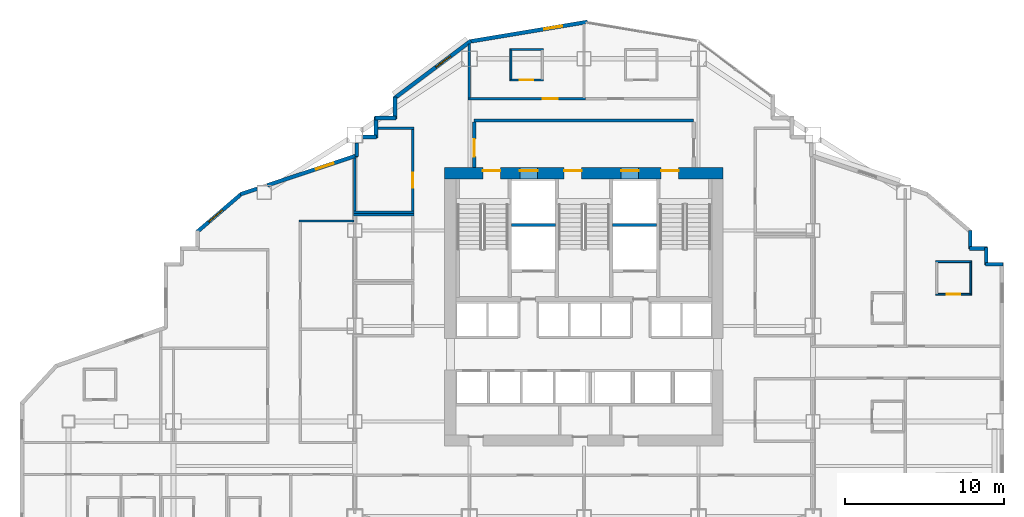
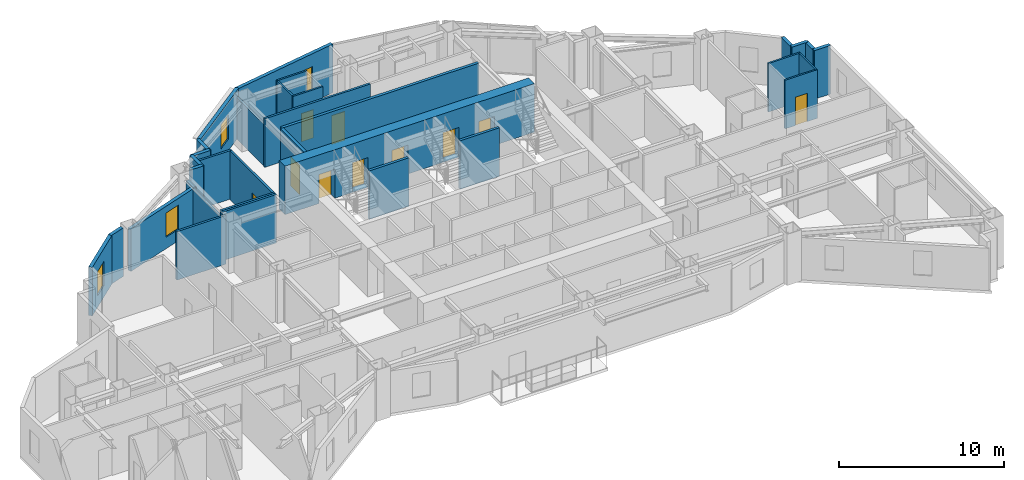
# One storey, part 9 of 13: 33 walls, 10 doors, 4 windows, 14 openings.
"""IFC4 building model written with IfcOpenShell, lengths in metres."""

from ifc_helpers import new_model, si_unit, direction, frame, frame_2d, origin, place, context, subcontext, project, spatial, rectangle, extrude, material, layer, layer_set, type_object, element, fill, save


model = new_model("IFC4")

# Units and contexts
model_context = context("Model", 3, precision=1e-05, world=origin(), true_north=direction((0.0, 1.0)))
body_context = subcontext(model_context, "Body", "Model", "MODEL_VIEW")
ifc_project = project(units=[si_unit("LENGTHUNIT", "METRE"), si_unit("AREAUNIT", "SQUARE_METRE"), si_unit("VOLUMEUNIT", "CUBIC_METRE"), si_unit("PLANEANGLEUNIT", "RADIAN"), si_unit("MASSUNIT", "GRAM", prefix="KILO")], contexts=[model_context])

# Site, building, storey
site_placement = place(None, origin())
site = spatial("IfcSite", under=ifc_project, at=site_placement, CompositionType="ELEMENT")
building_placement = place(site_placement, origin())
building = spatial("IfcBuilding", under=site, at=building_placement, Name="Haolan Belvedere Tower", CompositionType="ELEMENT")
storey_placement = place(building_placement, frame((0.0, 0.0, 102.199951171875)))
storey = spatial("IfcBuildingStorey", under=building, at=storey_placement, Name="L25", CompositionType="ELEMENT", Elevation=102.199951171875)

# Wall, openings, doors
ifc_material_1 = material(Name="Concrete C60/75", Category="concrete")
ifc_layer_1 = layer(ifc_material_1, 0.699951171875, Name="Concrete C60/75")
ifc_layer_set_1 = layer_set([ifc_layer_1], Name="Concrete C60/75")
wall_type_1 = type_object("IfcWallType", Name="WL-CORE-700", PredefinedType="SHEAR", material=ifc_layer_set_1)
wall_1_placement = place(storey_placement, frame((29.64990234375, 43.199951171875, 0.0), z_axis=(0.0, 0.0, 1.0), x_axis=(1.0, 0.0, 0.0)))
wall_1 = element("IfcWall", 1, at=wall_1_placement, inside=storey, type_object=wall_type_1, Name="L25 central core north shear wall", PredefinedType="SHEAR", context=body_context, shape_type="SweptSolid", body=[
    extrude(rectangle(XDim=17.5, YDim=0.699951171875, at=frame_2d((8.75, 0.0))), origin(), (0.0, 0.0, 1.0), 3.60009765625),
])
opening_1_placement = place(wall_1_placement, frame((2.39990234375, 0.0, 0.0)))
opening_1 = element("IfcOpeningElement", 2, at=opening_1_placement, cuts=wall_1, Name="Opening FD-03", PredefinedType="OPENING", context=body_context, shape_type="SweptSolid", body=[
    extrude(rectangle(XDim=1.10009765625, YDim=2.14990234375, at=frame_2d((0.550048828125, 1.074951171875))), frame((0.0, 0.35986328125, 0.0), z_axis=(0.0, -1.0, 0.0), x_axis=(1.0, 0.0, 0.0)), (0.0, 0.0, 1.0), 0.719970703125),
])
opening_2_placement = place(wall_1_placement, frame((7.510009765625, 0.0, 0.0)))
opening_2 = element("IfcOpeningElement", 3, at=opening_2_placement, cuts=wall_1, Name="Opening FD-03", PredefinedType="OPENING", context=body_context, shape_type="SweptSolid", body=[
    extrude(rectangle(XDim=1.10009765625, YDim=2.14990234375, at=frame_2d((0.550048828125, 1.074951171875))), frame((0.0, 0.35986328125, 0.0), z_axis=(0.0, -1.0, 0.0), x_axis=(1.0, 0.0, 0.0)), (0.0, 0.0, 1.0), 0.719970703125),
])
opening_3_placement = place(wall_1_placement, frame((13.60009765625, 0.0, 0.0)))
opening_3 = element("IfcOpeningElement", 4, at=opening_3_placement, cuts=wall_1, Name="Opening FD-03", PredefinedType="OPENING", context=body_context, shape_type="SweptSolid", body=[
    extrude(rectangle(XDim=1.10009765625, YDim=2.14990234375, at=frame_2d((0.550048828125, 1.074951171875))), frame((0.0, 0.35986328125, 0.0), z_axis=(0.0, -1.0, 0.0), x_axis=(1.0, 0.0, 0.0)), (0.0, 0.0, 1.0), 0.719970703125),
])
opening_4_placement = place(wall_1_placement, frame((4.72998046875, 0.0, 0.0)))
opening_4 = element("IfcOpeningElement", 5, at=opening_4_placement, cuts=wall_1, Name="Opening LD-01", PredefinedType="OPENING", context=body_context, shape_type="SweptSolid", body=[
    extrude(rectangle(XDim=1.10009765625, YDim=2.199951171875, at=frame_2d((0.550048828125, 1.10009765625))), frame((0.0, 0.35986328125, 0.0), z_axis=(0.0, -1.0, 0.0), x_axis=(1.0, 0.0, 0.0)), (0.0, 0.0, 1.0), 0.719970703125),
])
opening_5_placement = place(wall_1_placement, frame((11.090087890625, 0.0, 0.0)))
opening_5 = element("IfcOpeningElement", 6, at=opening_5_placement, cuts=wall_1, Name="Opening LD-01", PredefinedType="OPENING", context=body_context, shape_type="SweptSolid", body=[
    extrude(rectangle(XDim=1.10009765625, YDim=2.199951171875, at=frame_2d((0.550048828125, 1.10009765625))), frame((0.0, 0.35986328125, 0.0), z_axis=(0.0, -1.0, 0.0), x_axis=(1.0, 0.0, 0.0)), (0.0, 0.0, 1.0), 0.719970703125),
])
ifc_material_2 = material(Name="Galvanised fire-rated steel", Category="steel")
door_type_1 = type_object("IfcDoorType", Name="DR-FD90-1100", OperationType="NOTDEFINED", PredefinedType="DOOR", material=ifc_material_2)
door_1_placement = place(opening_1_placement, origin())
door_1 = element("IfcDoor", 7, at=door_1_placement, inside=storey, type_object=door_type_1, Name="L25 door CD-L25-ST1", OperationType="SINGLE_SWING_LEFT", OverallHeight=2.14990234375, OverallWidth=1.10009765625, PredefinedType="DOOR", context=body_context, shape_type="SweptSolid", body=[
    extrude(rectangle(XDim=1.10009765625, YDim=2.14990234375, at=frame_2d((0.550048828125, 1.074951171875))), frame((0.0, 0.18505859375, 0.0), z_axis=(0.0, -1.0, 0.0), x_axis=(1.0, 0.0, 0.0)), (0.0, 0.0, 1.0), 0.050048828125),
])
fill(opening_1, door_1)
door_2_placement = place(opening_2_placement, origin())
door_2 = element("IfcDoor", 8, at=door_2_placement, inside=storey, type_object=door_type_1, Name="L25 door CD-L25-ST3", OperationType="SINGLE_SWING_LEFT", OverallHeight=2.14990234375, OverallWidth=1.10009765625, PredefinedType="DOOR", context=body_context, shape_type="SweptSolid", body=[
    extrude(rectangle(XDim=1.10009765625, YDim=2.14990234375, at=frame_2d((0.550048828125, 1.074951171875))), frame((0.0, 0.18505859375, 0.0), z_axis=(0.0, -1.0, 0.0), x_axis=(1.0, 0.0, 0.0)), (0.0, 0.0, 1.0), 0.050048828125),
])
fill(opening_2, door_2)
door_3_placement = place(opening_3_placement, origin())
door_3 = element("IfcDoor", 9, at=door_3_placement, inside=storey, type_object=door_type_1, Name="L25 door CD-L25-ST2", OperationType="SINGLE_SWING_RIGHT", OverallHeight=2.14990234375, OverallWidth=1.10009765625, PredefinedType="DOOR", context=body_context, shape_type="SweptSolid", body=[
    extrude(rectangle(XDim=1.10009765625, YDim=2.14990234375, at=frame_2d((0.550048828125, 1.074951171875))), frame((0.0, 0.18505859375, 0.0), z_axis=(0.0, -1.0, 0.0), x_axis=(1.0, 0.0, 0.0)), (0.0, 0.0, 1.0), 0.050048828125),
])
fill(opening_3, door_3)
ifc_material_3 = material(Name="Brushed champagne stainless steel 316L", Category="steel")
door_type_2 = type_object("IfcDoorType", Name="DR-LIFT-1100", OperationType="SLIDING_TO_LEFT", PredefinedType="DOOR", material=ifc_material_3)
door_4_placement = place(opening_4_placement, origin())
door_4 = element("IfcDoor", 10, at=door_4_placement, inside=storey, type_object=door_type_2, Name="L25 door LD-L25-FF1", OperationType="SLIDING_TO_LEFT", OverallHeight=2.199951171875, OverallWidth=1.10009765625, PredefinedType="DOOR", context=body_context, shape_type="SweptSolid", body=[
    extrude(rectangle(XDim=1.10009765625, YDim=2.199951171875, at=frame_2d((0.550048828125, 1.10009765625))), frame((0.0, 0.18505859375, 0.0), z_axis=(0.0, -1.0, 0.0), x_axis=(1.0, 0.0, 0.0)), (0.0, 0.0, 1.0), 0.050048828125),
])
fill(opening_4, door_4)
door_5_placement = place(opening_5_placement, origin())
door_5 = element("IfcDoor", 11, at=door_5_placement, inside=storey, type_object=door_type_2, Name="L25 door LD-L25-FF2", OperationType="SLIDING_TO_LEFT", OverallHeight=2.199951171875, OverallWidth=1.10009765625, PredefinedType="DOOR", context=body_context, shape_type="SweptSolid", body=[
    extrude(rectangle(XDim=1.10009765625, YDim=2.199951171875, at=frame_2d((0.550048828125, 1.10009765625))), frame((0.0, 0.18505859375, 0.0), z_axis=(0.0, -1.0, 0.0), x_axis=(1.0, 0.0, 0.0)), (0.0, 0.0, 1.0), 0.050048828125),
])
fill(opening_5, door_5)

# Walls
ifc_material_4 = material(Name="Precast concrete C40/50", Category="concrete")
ifc_layer_2 = layer(ifc_material_4, 0.239990234375, Name="Precast concrete C40/50")
ifc_layer_set_2 = layer_set([ifc_layer_2], Name="Precast concrete C40/50")
wall_type_2 = type_object("IfcWallType", Name="WL-EXT-240", PredefinedType="SOLIDWALL", material=ifc_layer_set_2)
wall_2_placement = place(storey_placement, frame((64.735107421875, 37.47998046875, 0.0), z_axis=(0.0, 0.0, 1.0), x_axis=(-1.0, 0.0, 0.0)))
element("IfcWall", 12, at=wall_2_placement, inside=storey, type_object=wall_type_2, Name="L25 pale-metal exterior spandrel wall 15.1", PredefinedType="SOLIDWALL", context=body_context, shape_type="SweptSolid", body=[
    extrude(rectangle(XDim=1.110107421875, YDim=0.239990234375, at=frame_2d((0.55517578125, 0.0))), origin(), (0.0, 0.0, 1.0), 3.60009765625),
])
wall_3_placement = place(storey_placement, frame((63.679931640625, 37.425048828125, 0.0), z_axis=(0.0, 0.0, 1.0), x_axis=(0.0, 1.0, 0.0)))
element("IfcWall", 13, at=wall_3_placement, inside=storey, type_object=wall_type_2, Name="L25 pale-metal exterior spandrel wall 16.1", PredefinedType="SOLIDWALL", context=body_context, shape_type="SweptSolid", body=[
    extrude(rectangle(XDim=1.10986328125, YDim=0.239990234375, at=frame_2d((0.554931640625, 0.0))), origin(), (0.0, 0.0, 1.0), 3.60009765625),
])
wall_4_placement = place(storey_placement, frame((63.735107421875, 38.47998046875, 0.0), z_axis=(0.0, 0.0, 1.0), x_axis=(-1.0, 0.0, 0.0)))
element("IfcWall", 14, at=wall_4_placement, inside=storey, type_object=wall_type_2, Name="L25 pale-metal exterior spandrel wall 17.1", PredefinedType="SOLIDWALL", context=body_context, shape_type="SweptSolid", body=[
    extrude(rectangle(XDim=1.110107421875, YDim=0.239990234375, at=frame_2d((0.55517578125, 0.0))), origin(), (0.0, 0.0, 1.0), 3.60009765625),
])
wall_5_placement = place(storey_placement, frame((62.679931640625, 38.425048828125, 0.0), z_axis=(0.0, 0.0, 1.0), x_axis=(0.0, 1.0, 0.0)))
element("IfcWall", 15, at=wall_5_placement, inside=storey, type_object=wall_type_2, Name="L25 pale-metal exterior spandrel wall 18.1", PredefinedType="SOLIDWALL", context=body_context, shape_type="SweptSolid", body=[
    extrude(rectangle(XDim=1.1748046875, YDim=0.239990234375, at=frame_2d((0.58740234375, 0.0))), origin(), (0.0, 0.0, 1.0), 3.60009765625),
])

# Wall, opening, window
wall_6_placement = place(storey_placement, frame((38.621826171875, 52.71533203125, 0.0), z_axis=(0.0, 0.0, 1.0), x_axis=(-0.98639129485, -0.164414760418, 0.0)))
wall_6 = element("IfcWall", 16, at=wall_6_placement, inside=storey, type_object=wall_type_2, Name="L25 pale-metal exterior spandrel wall 28.1", PredefinedType="SOLIDWALL", context=body_context, shape_type="SweptSolid", body=[
    extrude(rectangle(XDim=7.530029296875, YDim=0.239990234375, at=frame_2d((3.76513671875, 0.0))), origin(), (0.0, 0.0, 1.0), 3.60009765625),
])
opening_6_placement = place(wall_6_placement, frame((1.60009765625, 0.0, 0.85009765625)))
opening_6 = element("IfcOpeningElement", 17, at=opening_6_placement, cuts=wall_6, Name="Opening W-02", PredefinedType="OPENING", context=body_context, shape_type="SweptSolid", body=[
    extrude(rectangle(XDim=1.14990234375, YDim=1.800048828125, at=frame_2d((0.574951171875, 0.89990234375))), frame((0.0, 0.1298828125, 0.0), z_axis=(0.0, -1.0, 0.0), x_axis=(1.0, 0.0, 0.0)), (0.0, 0.0, 1.0), 0.260009765625),
])
ifc_material_5 = material(Name="Anodised aluminium 6063-T6 and Low-E glass", Category="aluminium")
window_type = type_object("IfcWindowType", Name="WN-DECO-Z2", PartitioningType="SINGLE_PANEL", PredefinedType="WINDOW", material=ifc_material_5)
window_1_placement = place(opening_6_placement, origin())
window_1 = element("IfcWindow", 18, at=window_1_placement, inside=storey, type_object=window_type, Name="L25 Art Deco chevron window 1", OverallHeight=1.800048828125, OverallWidth=1.14990234375, PartitioningType="SINGLE_PANEL", PredefinedType="WINDOW", context=body_context, shape_type="SweptSolid", body=[
    extrude(rectangle(XDim=1.14990234375, YDim=1.800048828125, at=frame_2d((0.574951171875, 0.89990234375))), frame((0.0, 0.030029296875, 0.0), z_axis=(0.0, -1.0, 0.0), x_axis=(1.0, 0.0, 0.0)), (0.0, 0.0, 1.0), 0.06005859375),
])
fill(opening_6, window_1)

wall_7_placement = place(storey_placement, frame((31.29248046875, 51.519287109375, 0.0), z_axis=(0.0, 0.0, 1.0), x_axis=(-0.8, -0.6, 0.0)))
wall_7 = element("IfcWall", 19, at=wall_7_placement, inside=storey, type_object=wall_type_2, Name="L25 pale-metal exterior spandrel wall 29.1", PredefinedType="SOLIDWALL", context=body_context, shape_type="SweptSolid", body=[
    extrude(rectangle(XDim=6.0205078125, YDim=0.239990234375, at=frame_2d((3.01025390625, 0.0))), origin(), (0.0, 0.0, 1.0), 3.60009765625),
])
opening_7_placement = place(wall_7_placement, frame((1.60009765625, 0.0, 0.85009765625)))
opening_7 = element("IfcOpeningElement", 20, at=opening_7_placement, cuts=wall_7, Name="Opening W-02", PredefinedType="OPENING", context=body_context, shape_type="SweptSolid", body=[
    extrude(rectangle(XDim=1.14990234375, YDim=1.800048828125, at=frame_2d((0.574951171875, 0.89990234375))), frame((0.0, 0.1298828125, 0.0), z_axis=(0.0, -1.0, 0.0), x_axis=(1.0, 0.0, 0.0)), (0.0, 0.0, 1.0), 0.260009765625),
])
window_2_placement = place(opening_7_placement, origin())
window_2 = element("IfcWindow", 21, at=window_2_placement, inside=storey, type_object=window_type, Name="L25 Art Deco chevron window 1", OverallHeight=1.800048828125, OverallWidth=1.14990234375, PartitioningType="SINGLE_PANEL", PredefinedType="WINDOW", context=body_context, shape_type="SweptSolid", body=[
    extrude(rectangle(XDim=1.14990234375, YDim=1.800048828125, at=frame_2d((0.574951171875, 0.89990234375))), frame((0.0, 0.030029296875, 0.0), z_axis=(0.0, -1.0, 0.0), x_axis=(1.0, 0.0, 0.0)), (0.0, 0.0, 1.0), 0.06005859375),
])
fill(opening_7, window_2)

# Walls
wall_8_placement = place(storey_placement, frame((26.52001953125, 47.9951171875, 0.0), z_axis=(0.0, 0.0, 1.0), x_axis=(0.0, -1.0, 0.0)))
element("IfcWall", 22, at=wall_8_placement, inside=storey, type_object=wall_type_2, Name="L25 pale-metal exterior spandrel wall 30.1", PredefinedType="SOLIDWALL", context=body_context, shape_type="SweptSolid", body=[
    extrude(rectangle(XDim=1.3701171875, YDim=0.239990234375, at=frame_2d((0.68505859375, 0.0))), origin(), (0.0, 0.0, 1.0), 3.60009765625),
])
for number, where, z_axis, x_axis, name in (
    (23, (26.574951171875, 46.679931640625, 0.0), (0.0, 0.0, 1.0), (-1.0, 0.0, 0.0), "L25 pale-metal exterior spandrel wall 31.1"),
    (24, (25.320068359375, 46.735107421875, 0.0), (0.0, 0.0, 1.0), (0.0, -1.0, 0.0), "L25 pale-metal exterior spandrel wall 32.1"),
):
    element("IfcWall", number, at=place(storey_placement, frame(where, z_axis=z_axis, x_axis=x_axis)), inside=storey, type_object=wall_type_2, Name=name, PredefinedType="SOLIDWALL", context=body_context, shape_type="SweptSolid", body=[
        extrude(rectangle(XDim=1.31005859375, YDim=0.239990234375, at=frame_2d((0.655029296875, 0.0))), origin(), (0.0, 0.0, 1.0), 3.60009765625),
    ])
wall_9_placement = place(storey_placement, frame((25.375, 45.47998046875, 0.0), z_axis=(0.0, 0.0, 1.0), x_axis=(-1.0, 0.0, 0.0)))
element("IfcWall", 25, at=wall_9_placement, inside=storey, type_object=wall_type_2, Name="L25 pale-metal exterior spandrel wall 33.1", PredefinedType="SOLIDWALL", context=body_context, shape_type="SweptSolid", body=[
    extrude(rectangle(XDim=0.883056640625, YDim=0.239990234375, at=frame_2d((0.44140625, 0.0))), origin(), (0.0, 0.0, 1.0), 3.60009765625),
])
wall_10_placement = place(storey_placement, frame((24.1201171875, 45.10791015625, 0.0), z_axis=(0.0, 0.0, 1.0), x_axis=(0.0, -1.0, 0.0)))
element("IfcWall", 26, at=wall_10_placement, inside=storey, type_object=wall_type_2, Name="L25 pale-metal exterior spandrel wall 34.1", PredefinedType="SOLIDWALL", context=body_context, shape_type="SweptSolid", body=[
    extrude(rectangle(XDim=0.849365234375, YDim=0.239990234375, at=frame_2d((0.4248046875, 0.0))), origin(), (0.0, 0.0, 1.0), 3.14501953125),
])

# Wall, opening, window
wall_11_placement = place(storey_placement, frame((24.172119140625, 44.330810546875, 0.0), z_axis=(0.0, 0.0, 1.0), x_axis=(-0.948683298051, -0.316227766017, 0.0)))
wall_11 = element("IfcWall", 27, at=wall_11_placement, inside=storey, type_object=wall_type_2, Name="L25 pale-metal exterior spandrel wall 35.1", PredefinedType="SOLIDWALL", context=body_context, shape_type="SweptSolid", body=[
    extrude(rectangle(XDim=5.973388671875, YDim=0.239990234375, at=frame_2d((2.98681640625, 0.0))), origin(), (0.0, 0.0, 1.0), 3.14501953125),
])
opening_8_placement = place(wall_11_placement, frame((1.60009765625, 0.0, 0.85009765625)))
opening_8 = element("IfcOpeningElement", 28, at=opening_8_placement, cuts=wall_11, Name="Opening W-02", PredefinedType="OPENING", context=body_context, shape_type="SweptSolid", body=[
    extrude(rectangle(XDim=1.14990234375, YDim=1.800048828125, at=frame_2d((0.574951171875, 0.89990234375))), frame((0.0, 0.1298828125, 0.0), z_axis=(0.0, -1.0, 0.0), x_axis=(1.0, 0.0, 0.0)), (0.0, 0.0, 1.0), 0.260009765625),
])
window_3_placement = place(opening_8_placement, origin())
window_3 = element("IfcWindow", 29, at=window_3_placement, inside=storey, type_object=window_type, Name="L25 Art Deco chevron window 1", OverallHeight=1.800048828125, OverallWidth=1.14990234375, PartitioningType="SINGLE_PANEL", PredefinedType="WINDOW", context=body_context, shape_type="SweptSolid", body=[
    extrude(rectangle(XDim=1.14990234375, YDim=1.800048828125, at=frame_2d((0.574951171875, 0.89990234375))), frame((0.0, 0.030029296875, 0.0), z_axis=(0.0, -1.0, 0.0), x_axis=(1.0, 0.0, 0.0)), (0.0, 0.0, 1.0), 0.06005859375),
])
fill(opening_8, window_3)

# Wall
wall_12_placement = place(storey_placement, frame((17.85791015625, 42.226318359375, 0.0), z_axis=(0.0, 0.0, 1.0), x_axis=(-0.948639166064, -0.316360131194, 0.0)))
element("IfcWall", 30, at=wall_12_placement, inside=storey, type_object=wall_type_2, Name="L25 pale-metal exterior spandrel wall 35.2", PredefinedType="SOLIDWALL", context=body_context, shape_type="SweptSolid", body=[
    extrude(rectangle(XDim=1.106689453125, YDim=0.239990234375, at=frame_2d((0.55322265625, 0.0))), origin(), (0.0, 0.0, 1.0), 3.60009765625),
])

# Wall, opening, window
wall_13_placement = place(storey_placement, frame((16.902099609375, 41.929443359375, 0.0), z_axis=(0.0, 0.0, 1.0), x_axis=(-0.759275136126, -0.650769750112, 0.0)))
wall_13 = element("IfcWall", 31, at=wall_13_placement, inside=storey, type_object=wall_type_2, Name="L25 pale-metal exterior spandrel wall 36.1", PredefinedType="SOLIDWALL", context=body_context, shape_type="SweptSolid", body=[
    extrude(rectangle(XDim=3.71923828125, YDim=0.239990234375, at=frame_2d((1.859619140625, 0.0))), origin(), (0.0, 0.0, 1.0), 3.60009765625),
])
opening_9_placement = place(wall_13_placement, frame((1.60009765625, 0.0, 0.85009765625)))
opening_9 = element("IfcOpeningElement", 32, at=opening_9_placement, cuts=wall_13, Name="Opening W-02", PredefinedType="OPENING", context=body_context, shape_type="SweptSolid", body=[
    extrude(rectangle(XDim=1.14990234375, YDim=1.800048828125, at=frame_2d((0.574951171875, 0.89990234375))), frame((0.0, 0.1298828125, 0.0), z_axis=(0.0, -1.0, 0.0), x_axis=(1.0, 0.0, 0.0)), (0.0, 0.0, 1.0), 0.260009765625),
])
window_4_placement = place(opening_9_placement, origin())
window_4 = element("IfcWindow", 33, at=window_4_placement, inside=storey, type_object=window_type, Name="L25 Art Deco chevron window 1", OverallHeight=1.800048828125, OverallWidth=1.14990234375, PartitioningType="SINGLE_PANEL", PredefinedType="WINDOW", context=body_context, shape_type="SweptSolid", body=[
    extrude(rectangle(XDim=1.14990234375, YDim=1.800048828125, at=frame_2d((0.574951171875, 0.89990234375))), frame((0.0, 0.030029296875, 0.0), z_axis=(0.0, -1.0, 0.0), x_axis=(1.0, 0.0, 0.0)), (0.0, 0.0, 1.0), 0.06005859375),
])
fill(opening_9, window_4)

# Wall
ifc_material_6 = material(Name="Concrete C40/50", Category="concrete")
ifc_layer_3 = layer(ifc_material_6, 0.199951171875, Name="Concrete C40/50")
ifc_layer_set_3 = layer_set([ifc_layer_3], Name="Concrete C40/50")
wall_type_3 = type_object("IfcWallType", Name="WL-FIRE-200", PredefinedType="SOLIDWALL", material=ifc_layer_set_3)
wall_14_placement = place(storey_placement, frame((31.5, 46.52001953125, 0.0), z_axis=(0.0, 0.0, 1.0), x_axis=(1.0, 0.0, 0.0)))
element("IfcWall", 34, at=wall_14_placement, inside=storey, type_object=wall_type_3, Name="L25 interior partition IW-L25-FFL-N", PredefinedType="SOLIDWALL", context=body_context, shape_type="SweptSolid", body=[
    extrude(rectangle(XDim=13.800048828125, YDim=0.199951171875, at=frame_2d((6.89990234375, 0.0))), origin(), (0.0, 0.0, 1.0), 3.60009765625),
])

# Wall, opening, door
wall_15_placement = place(storey_placement, frame((31.5, 43.550048828125, 0.0), z_axis=(0.0, 0.0, 1.0), x_axis=(0.0, 1.0, 0.0)))
wall_15 = element("IfcWall", 35, at=wall_15_placement, inside=storey, type_object=wall_type_3, Name="L25 interior partition IW-L25-FFL-W", PredefinedType="SOLIDWALL", context=body_context, shape_type="SweptSolid", body=[
    extrude(rectangle(XDim=2.885009765625, YDim=0.199951171875, at=frame_2d((1.4423828125, 0.0))), origin(), (0.0, 0.0, 1.0), 3.60009765625),
])
opening_10_placement = place(wall_15_placement, frame((1.800048828125, 0.0, 0.0), z_axis=(0.0, 0.0, 1.0), x_axis=(-1.0, 0.0, 0.0)))
opening_10 = element("IfcOpeningElement", 36, at=opening_10_placement, cuts=wall_15, Name="Opening FD-03", PredefinedType="OPENING", context=body_context, shape_type="SweptSolid", body=[
    extrude(rectangle(XDim=1.10009765625, YDim=2.14990234375, at=frame_2d((0.550048828125, 1.074951171875))), frame((0.0, 0.10986328125, 0.0), z_axis=(0.0, -1.0, 0.0), x_axis=(1.0, 0.0, 0.0)), (0.0, 0.0, 1.0), 0.219970703125),
])
door_6_placement = place(opening_10_placement, origin())
door_6 = element("IfcDoor", 37, at=door_6_placement, inside=storey, type_object=door_type_1, Name="L25 door ID-L25-FFL-DW", OperationType="SINGLE_SWING_LEFT", OverallHeight=2.14990234375, OverallWidth=1.10009765625, PredefinedType="DOOR", context=body_context, shape_type="SweptSolid", body=[
    extrude(rectangle(XDim=1.10009765625, YDim=2.14990234375, at=frame_2d((0.550048828125, 1.074951171875))), frame((0.0, 0.02490234375, 0.0), z_axis=(0.0, -1.0, 0.0), x_axis=(1.0, 0.0, 0.0)), (0.0, 0.0, 1.0), 0.050048828125),
])
fill(opening_10, door_6)

# Walls
ifc_material_7 = material(Name="Double gypsum acoustic stud partition", Category="masonry")
ifc_layer_4 = layer(ifc_material_7, 0.14990234375, Name="Double gypsum acoustic stud partition")
ifc_layer_set_4 = layer_set([ifc_layer_4], Name="Double gypsum acoustic stud partition")
wall_type_4 = type_object("IfcWallType", Name="WL-PART-150", PredefinedType="PARTITIONING", material=ifc_layer_set_4)
wall_16_placement = place(storey_placement, frame((23.919921875, 40.60009765625, 0.0), z_axis=(0.0, 0.0, 1.0), x_axis=(1.0, 0.0, 0.0)))
element("IfcWall", 38, at=wall_16_placement, inside=storey, type_object=wall_type_4, Name="L25 interior partition IW-L25-PNT-N", PredefinedType="PARTITIONING", context=body_context, shape_type="SweptSolid", body=[
    extrude(rectangle(XDim=3.800048828125, YDim=0.14990234375, at=frame_2d((1.89990234375, 0.0))), origin(), (0.0, 0.0, 1.0), 3.60009765625),
])
wall_17_placement = place(storey_placement, frame((25.425048828125, 46.02001953125, 0.0), z_axis=(0.0, 0.0, 1.0), x_axis=(1.0, 0.0, 0.0)))
element("IfcWall", 39, at=wall_17_placement, inside=storey, type_object=wall_type_4, Name="L25 interior partition IW-L25-STY-N", PredefinedType="PARTITIONING", context=body_context, shape_type="SweptSolid", body=[
    extrude(rectangle(XDim=2.294921875, YDim=0.14990234375, at=frame_2d((1.1474609375, 0.0))), origin(), (0.0, 0.0, 1.0), 3.60009765625),
])
wall_18_placement = place(storey_placement, frame((23.919921875, 40.760009765625, 0.0), z_axis=(0.0, 0.0, 1.0), x_axis=(1.0, 0.0, 0.0)))
element("IfcWall", 40, at=wall_18_placement, inside=storey, type_object=wall_type_4, Name="L25 interior partition IW-L25-STY-S", PredefinedType="PARTITIONING", context=body_context, shape_type="SweptSolid", body=[
    extrude(rectangle(XDim=3.800048828125, YDim=0.14990234375, at=frame_2d((1.89990234375, 0.0))), origin(), (0.0, 0.0, 1.0), 3.60009765625),
])
wall_19_placement = place(storey_placement, frame((24.0, 40.820068359375, 0.0), z_axis=(0.0, 0.0, 1.0), x_axis=(0.0, 1.0, 0.0)))
element("IfcWall", 41, at=wall_19_placement, inside=storey, type_object=wall_type_4, Name="L25 interior partition IW-L25-STY-W", PredefinedType="PARTITIONING", context=body_context, shape_type="SweptSolid", body=[
    extrude(rectangle(XDim=3.3427734375, YDim=0.14990234375, at=frame_2d((1.67138671875, 0.0))), origin(), (0.0, 0.0, 1.0), 3.14501953125),
])

# Wall, opening, door
wall_20_placement = place(storey_placement, frame((27.639892578125, 40.820068359375, 0.0), z_axis=(0.0, 0.0, 1.0), x_axis=(0.0, 1.0, 0.0)))
wall_20 = element("IfcWall", 42, at=wall_20_placement, inside=storey, type_object=wall_type_4, Name="L25 interior partition IW-L25-STY-E", PredefinedType="PARTITIONING", context=body_context, shape_type="SweptSolid", body=[
    extrude(rectangle(XDim=5.139892578125, YDim=0.14990234375, at=frame_2d((2.56982421875, 0.0))), origin(), (0.0, 0.0, 1.0), 3.60009765625),
])
opening_11_placement = place(wall_20_placement, frame((2.409912109375, 0.0, 0.0), z_axis=(0.0, 0.0, 1.0), x_axis=(-1.0, 0.0, 0.0)))
opening_11 = element("IfcOpeningElement", 43, at=opening_11_placement, cuts=wall_20, Name="Opening ID-03", PredefinedType="OPENING", context=body_context, shape_type="SweptSolid", body=[
    extrude(rectangle(XDim=0.949951171875, YDim=2.1201171875, at=frame_2d((0.47509765625, 1.06005859375))), frame((0.0, 0.0849609375, 0.0), z_axis=(0.0, -1.0, 0.0), x_axis=(1.0, 0.0, 0.0)), (0.0, 0.0, 1.0), 0.169921875),
])
ifc_material_8 = material(Name="Painted solid-core timber", Category="wood")
door_type_3 = type_object("IfcDoorType", Name="DR-INT-950", OperationType="NOTDEFINED", PredefinedType="DOOR", material=ifc_material_8)
door_7_placement = place(opening_11_placement, origin())
door_7 = element("IfcDoor", 44, at=door_7_placement, inside=storey, type_object=door_type_3, Name="L25 door ID-L25-STY", OperationType="SINGLE_SWING_LEFT", OverallHeight=2.1201171875, OverallWidth=0.949951171875, PredefinedType="DOOR", context=body_context, shape_type="SweptSolid", body=[
    extrude(rectangle(XDim=0.949951171875, YDim=2.1201171875, at=frame_2d((0.47509765625, 1.06005859375))), frame((0.0, 0.02490234375, 0.0), z_axis=(0.0, -1.0, 0.0), x_axis=(1.0, 0.0, 0.0)), (0.0, 0.0, 1.0), 0.050048828125),
])
fill(opening_11, door_7)

wall_21_placement = place(storey_placement, frame((31.10009765625, 47.8798828125, 0.0), z_axis=(0.0, 0.0, 1.0), x_axis=(1.0, 0.0, 0.0)))
wall_21 = element("IfcWall", 45, at=wall_21_placement, inside=storey, type_object=wall_type_4, Name="L25 interior partition IW-L25-KN2-S", PredefinedType="PARTITIONING", context=body_context, shape_type="SweptSolid", body=[
    extrude(rectangle(XDim=7.39990234375, YDim=0.14990234375, at=frame_2d((3.699951171875, 0.0))), origin(), (0.0, 0.0, 1.0), 3.60009765625),
])
opening_12_placement = place(wall_21_placement, frame((4.713623046875, 0.0, 0.0)))
opening_12 = element("IfcOpeningElement", 46, at=opening_12_placement, cuts=wall_21, Name="Opening ID-02", PredefinedType="OPENING", context=body_context, shape_type="SweptSolid", body=[
    extrude(rectangle(XDim=0.949951171875, YDim=2.14990234375, at=frame_2d((0.47509765625, 1.074951171875))), frame((0.0, 0.0849609375, 0.0), z_axis=(0.0, -1.0, 0.0), x_axis=(1.0, 0.0, 0.0)), (0.0, 0.0, 1.0), 0.169921875),
])
ifc_material_9 = material(Name="Acoustic oak veneer fire-rated timber", Category="wood")
door_type_4 = type_object("IfcDoorType", Name="DR-GUEST-950", OperationType="NOTDEFINED", PredefinedType="DOOR", material=ifc_material_9)
door_8_placement = place(opening_12_placement, origin())
door_8 = element("IfcDoor", 47, at=door_8_placement, inside=storey, type_object=door_type_4, Name="L25 door ID-L25-KN2-ENT", OperationType="SINGLE_SWING_RIGHT", OverallHeight=2.14990234375, OverallWidth=0.949951171875, PredefinedType="DOOR", context=body_context, shape_type="SweptSolid", body=[
    extrude(rectangle(XDim=0.949951171875, YDim=2.14990234375, at=frame_2d((0.47509765625, 1.074951171875))), frame((0.0, 0.02490234375, 0.0), z_axis=(0.0, -1.0, 0.0), x_axis=(1.0, 0.0, 0.0)), (0.0, 0.0, 1.0), 0.050048828125),
])
fill(opening_12, door_8)

# Walls
wall_22_placement = place(storey_placement, frame((31.199951171875, 47.93994140625, 0.0), z_axis=(0.0, 0.0, 1.0), x_axis=(0.0, 1.0, 0.0)))
element("IfcWall", 48, at=wall_22_placement, inside=storey, type_object=wall_type_4, Name="L25 interior partition IW-L25-KN2-W", PredefinedType="PARTITIONING", context=body_context, shape_type="SweptSolid", body=[
    extrude(rectangle(XDim=3.378662109375, YDim=0.14990234375, at=frame_2d((1.689453125, 0.0))), origin(), (0.0, 0.0, 1.0), 3.0849609375),
])
wall_23_placement = place(storey_placement, frame((20.5, 40.199951171875, 0.0), z_axis=(0.0, 0.0, 1.0), x_axis=(1.0, 0.0, 0.0)))
element("IfcWall", 49, at=wall_23_placement, inside=storey, type_object=wall_type_4, Name="L25 interior partition IW-L25-T2E2-N", PredefinedType="PARTITIONING", context=body_context, shape_type="SweptSolid", body=[
    extrude(rectangle(XDim=3.43994140625, YDim=0.14990234375, at=frame_2d((1.719970703125, 0.0))), origin(), (0.0, 0.0, 1.0), 3.60009765625),
])
ifc_layer_5 = layer(ifc_material_4, 0.179931640625, Name="Precast concrete C40/50")
ifc_layer_set_5 = layer_set([ifc_layer_5], Name="Precast concrete C40/50")
wall_type_5 = type_object("IfcWallType", Name="WL-SHAFT-180", PredefinedType="SOLIDWALL", material=ifc_layer_set_5)
for number, where, z_axis, x_axis, name in (
    (50, (33.8349609375, 39.949951171875, 0.0), (0.0, 0.0, 1.0), (1.0, 0.0, 0.0), "L25 interior partition IW-L25-FF1-S"),
    (51, (40.195068359375, 39.949951171875, 0.0), (0.0, 0.0, 1.0), (1.0, 0.0, 0.0), "L25 interior partition IW-L25-FF2-S"),
):
    element("IfcWall", number, at=place(storey_placement, frame(where, z_axis=z_axis, x_axis=x_axis)), inside=storey, type_object=wall_type_5, Name=name, PredefinedType="SOLIDWALL", context=body_context, shape_type="SweptSolid", body=[
        extrude(rectangle(XDim=2.77001953125, YDim=0.179931640625, at=frame_2d((1.385009765625, 0.0))), origin(), (0.0, 0.0, 1.0), 3.60009765625),
    ])
ifc_material_10 = material(Name="Moisture-resistant gypsum tile partition", Category="masonry")
ifc_layer_6 = layer(ifc_material_10, 0.1201171875, Name="Moisture-resistant gypsum tile partition")
ifc_layer_set_6 = layer_set([ifc_layer_6], Name="Moisture-resistant gypsum tile partition")
wall_type_6 = type_object("IfcWallType", Name="WL-WET-120", PredefinedType="PARTITIONING", material=ifc_layer_set_6)
wall_24_placement = place(storey_placement, frame((33.75, 50.97998046875, 0.0), z_axis=(0.0, 0.0, 1.0), x_axis=(1.0, 0.0, 0.0)))
element("IfcWall", 52, at=wall_24_placement, inside=storey, type_object=wall_type_6, Name="L25 interior partition IW-L25-KN2-BN", PredefinedType="PARTITIONING", context=body_context, shape_type="SweptSolid", body=[
    extrude(rectangle(XDim=2.10009765625, YDim=0.1201171875, at=frame_2d((1.050048828125, 0.0))), origin(), (0.0, 0.0, 1.0), 3.60009765625),
])

# Wall, opening, door
wall_25_placement = place(storey_placement, frame((33.75, 49.06005859375, 0.0), z_axis=(0.0, 0.0, 1.0), x_axis=(1.0, 0.0, 0.0)))
wall_25 = element("IfcWall", 53, at=wall_25_placement, inside=storey, type_object=wall_type_6, Name="L25 interior partition IW-L25-KN2-BS", PredefinedType="PARTITIONING", context=body_context, shape_type="SweptSolid", body=[
    extrude(rectangle(XDim=2.10009765625, YDim=0.1201171875, at=frame_2d((1.050048828125, 0.0))), origin(), (0.0, 0.0, 1.0), 3.60009765625),
])
opening_13_placement = place(wall_25_placement, frame((0.625, 0.0, 0.0)))
opening_13 = element("IfcOpeningElement", 54, at=opening_13_placement, cuts=wall_25, Name="Opening ID-05", PredefinedType="OPENING", context=body_context, shape_type="SweptSolid", body=[
    extrude(rectangle(XDim=0.85009765625, YDim=2.10009765625, at=frame_2d((0.425048828125, 1.050048828125))), frame((0.0, 0.070068359375, 0.0), z_axis=(0.0, -1.0, 0.0), x_axis=(1.0, 0.0, 0.0)), (0.0, 0.0, 1.0), 0.14013671875),
])
ifc_material_11 = material(Name="Moisture-resistant lacquered timber", Category="wood")
door_type_5 = type_object("IfcDoorType", Name="DR-BATH-850", OperationType="NOTDEFINED", PredefinedType="DOOR", material=ifc_material_11)
door_9_placement = place(opening_13_placement, origin())
door_9 = element("IfcDoor", 55, at=door_9_placement, inside=storey, type_object=door_type_5, Name="L25 door ID-L25-KN2-BATH", OperationType="SINGLE_SWING_LEFT", OverallHeight=2.10009765625, OverallWidth=0.85009765625, PredefinedType="DOOR", context=body_context, shape_type="SweptSolid", body=[
    extrude(rectangle(XDim=0.85009765625, YDim=2.10009765625, at=frame_2d((0.425048828125, 1.050048828125))), frame((0.0, 0.02490234375, 0.0), z_axis=(0.0, -1.0, 0.0), x_axis=(1.0, 0.0, 0.0)), (0.0, 0.0, 1.0), 0.050048828125),
])
fill(opening_13, door_9)

# Walls
wall_26_placement = place(storey_placement, frame((33.81005859375, 49.10498046875, 0.0), z_axis=(0.0, 0.0, 1.0), x_axis=(0.0, 1.0, 0.0)))
element("IfcWall", 56, at=wall_26_placement, inside=storey, type_object=wall_type_6, Name="L25 interior partition IW-L25-KN2-BW", PredefinedType="PARTITIONING", context=body_context, shape_type="SweptSolid", body=[
    extrude(rectangle(XDim=1.830078125, YDim=0.1201171875, at=frame_2d((0.9150390625, 0.0))), origin(), (0.0, 0.0, 1.0), 3.60009765625),
])
wall_27_placement = place(storey_placement, frame((60.501953125, 37.64501953125, 0.0), z_axis=(0.0, 0.0, 1.0), x_axis=(1.0, 0.0, 0.0)))
element("IfcWall", 57, at=wall_27_placement, inside=storey, type_object=wall_type_6, Name="L25 interior partition IW-L25-T4N2-BN", PredefinedType="PARTITIONING", context=body_context, shape_type="SweptSolid", body=[
    extrude(rectangle(XDim=2.27001953125, YDim=0.1201171875, at=frame_2d((1.135009765625, 0.0))), origin(), (0.0, 0.0, 1.0), 3.60009765625),
])

# Wall, opening, door
wall_28_placement = place(storey_placement, frame((60.501953125, 35.594970703125, 0.0), z_axis=(0.0, 0.0, 1.0), x_axis=(1.0, 0.0, 0.0)))
wall_28 = element("IfcWall", 58, at=wall_28_placement, inside=storey, type_object=wall_type_6, Name="L25 interior partition IW-L25-T4N2-BS", PredefinedType="PARTITIONING", context=body_context, shape_type="SweptSolid", body=[
    extrude(rectangle(XDim=2.27001953125, YDim=0.1201171875, at=frame_2d((1.135009765625, 0.0))), origin(), (0.0, 0.0, 1.0), 3.60009765625),
])
opening_14_placement = place(wall_28_placement, frame((0.7099609375, 0.0, 0.0)))
opening_14 = element("IfcOpeningElement", 59, at=opening_14_placement, cuts=wall_28, Name="Opening ID-05", PredefinedType="OPENING", context=body_context, shape_type="SweptSolid", body=[
    extrude(rectangle(XDim=0.85009765625, YDim=2.10009765625, at=frame_2d((0.425048828125, 1.050048828125))), frame((0.0, 0.070068359375, 0.0), z_axis=(0.0, -1.0, 0.0), x_axis=(1.0, 0.0, 0.0)), (0.0, 0.0, 1.0), 0.14013671875),
])
door_10_placement = place(opening_14_placement, origin())
door_10 = element("IfcDoor", 60, at=door_10_placement, inside=storey, type_object=door_type_5, Name="L25 door ID-L25-T4N2-BATH", OperationType="SINGLE_SWING_LEFT", OverallHeight=2.10009765625, OverallWidth=0.85009765625, PredefinedType="DOOR", context=body_context, shape_type="SweptSolid", body=[
    extrude(rectangle(XDim=0.85009765625, YDim=2.10009765625, at=frame_2d((0.425048828125, 1.050048828125))), frame((0.0, 0.02490234375, 0.0), z_axis=(0.0, -1.0, 0.0), x_axis=(1.0, 0.0, 0.0)), (0.0, 0.0, 1.0), 0.050048828125),
])
fill(opening_14, door_10)

# Wall
wall_29_placement = place(storey_placement, frame((62.7119140625, 35.639892578125, 0.0), z_axis=(0.0, 0.0, 1.0), x_axis=(0.0, 1.0, 0.0)))
element("IfcWall", 61, at=wall_29_placement, inside=storey, type_object=wall_type_6, Name="L25 interior partition IW-L25-T4N2-BE", PredefinedType="PARTITIONING", context=body_context, shape_type="SweptSolid", body=[
    extrude(rectangle(XDim=1.960205078125, YDim=0.1201171875, at=frame_2d((0.97998046875, 0.0))), origin(), (0.0, 0.0, 1.0), 3.60009765625),
])

save(model, "model.ifc")
